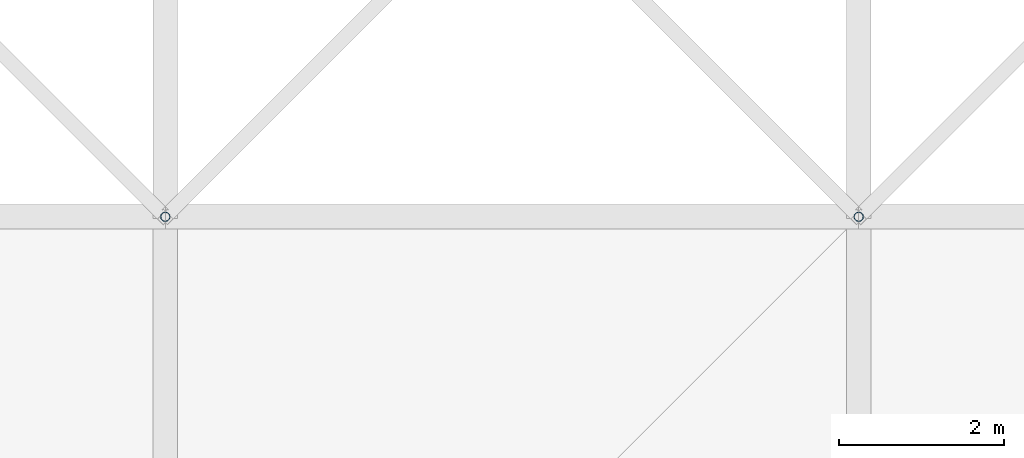
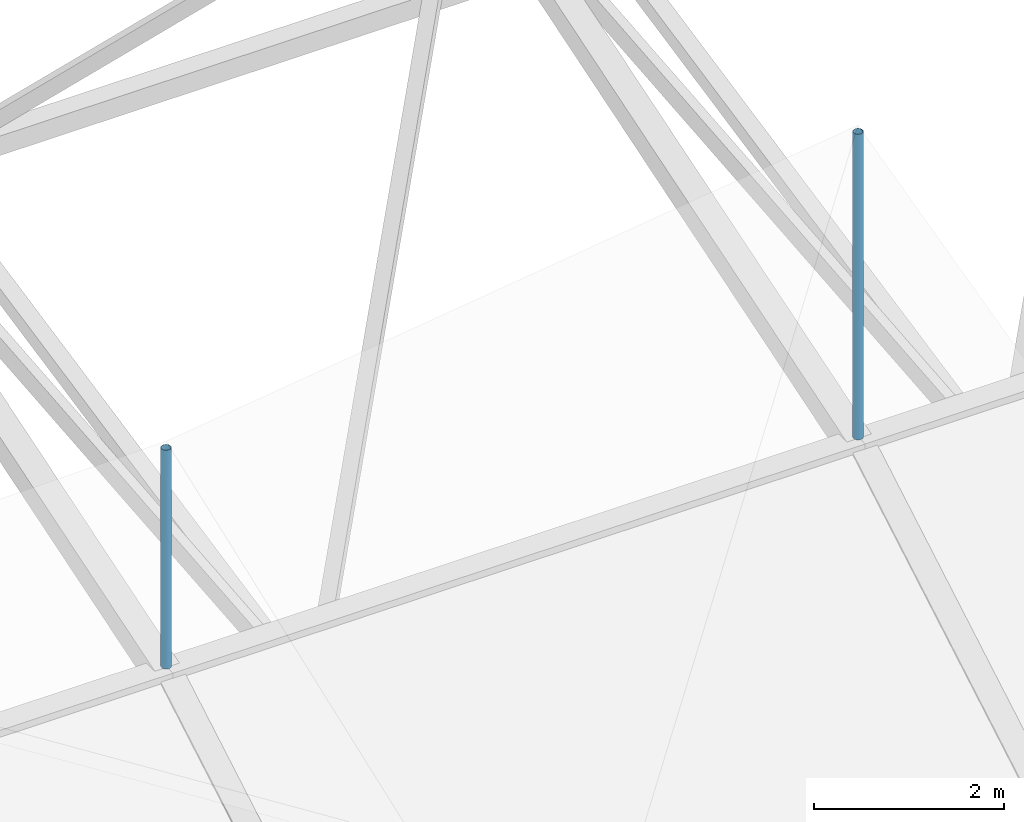
# One storey, part 78 of 111: 2 discrete accessories.
"""IFC4 building model written with IfcOpenShell, lengths in metres."""

from ifc_helpers import new_model, si_unit, direction, frame, origin, origin_2d, place, context, subcontext, project, spatial, hollow_circle, extrude, material, material_profile, profile_set, type_object, element, save


model = new_model("IFC4")

# Units and contexts
model_context = context("Model", 3, precision=1e-05, world=origin(), true_north=direction((0.0, 1.0)))
body_context = subcontext(model_context, "Body", "Model", "MODEL_VIEW")
ifc_project = project(units=[si_unit("LENGTHUNIT", "METRE"), si_unit("AREAUNIT", "SQUARE_METRE"), si_unit("VOLUMEUNIT", "CUBIC_METRE"), si_unit("PLANEANGLEUNIT", "RADIAN"), si_unit("MASSUNIT", "GRAM", prefix="KILO")], contexts=[model_context])

# Site, building, storey
site_placement = place(None, origin())
site = spatial("IfcSite", under=ifc_project, at=site_placement, CompositionType="ELEMENT")
building_placement = place(site_placement, origin())
building = spatial("IfcBuilding", under=site, at=building_placement, Name="Rain Tree Exposition and Congress Centre", CompositionType="ELEMENT")
storey_placement = place(building_placement, frame((0.0, 0.0, 19.5)))
storey = spatial("IfcBuildingStorey", under=building, at=storey_placement, Name="RF", CompositionType="ELEMENT", Elevation=19.5)

# Discrete accessories
ifc_material = material(Name="Steel S355J2H", Category="steel")
ifc_material_profile = material_profile(ifc_material, hollow_circle(Radius=0.05712890625, WallThickness=0.00439453125, at=origin_2d()), Name="CHS 114x4.5")
ifc_profile_set = profile_set([ifc_material_profile], Name="Steel S355J2H")
discrete_accessory_type = type_object("IfcDiscreteAccessoryType", Name="Roof skin post CHS 114x4.5", PredefinedType="BRACKET", material=ifc_profile_set)
discrete_accessory_1_placement = place(storey_placement, frame((176.39990234375, 159.60009765625, 5.39404296875), z_axis=(0.0, 0.0, 1.0), x_axis=(1.0, 0.0, 0.0)))
element("IfcDiscreteAccessory", 1, at=discrete_accessory_1_placement, inside=storey, type_object=discrete_accessory_type, Name="Roof skin post B96", PredefinedType="BRACKET", context=body_context, shape_type="SweptSolid", body=[
    extrude(hollow_circle(Radius=0.05712890625, WallThickness=0.00439453125, at=origin_2d()), origin(), (0.0, 0.0, 1.0), 2.806884765625),
])
discrete_accessory_2_placement = place(storey_placement, frame((184.800048828125, 159.60009765625, 5.39404296875), z_axis=(0.0, 0.0, 1.0), x_axis=(1.0, 0.0, 0.0)))
element("IfcDiscreteAccessory", 2, at=discrete_accessory_2_placement, inside=storey, type_object=discrete_accessory_type, Name="Roof skin post B97", PredefinedType="BRACKET", context=body_context, shape_type="SweptSolid", body=[
    extrude(hollow_circle(Radius=0.05712890625, WallThickness=0.00439453125, at=origin_2d()), origin(), (0.0, 0.0, 1.0), 3.921875),
])

save(model, "model.ifc")
